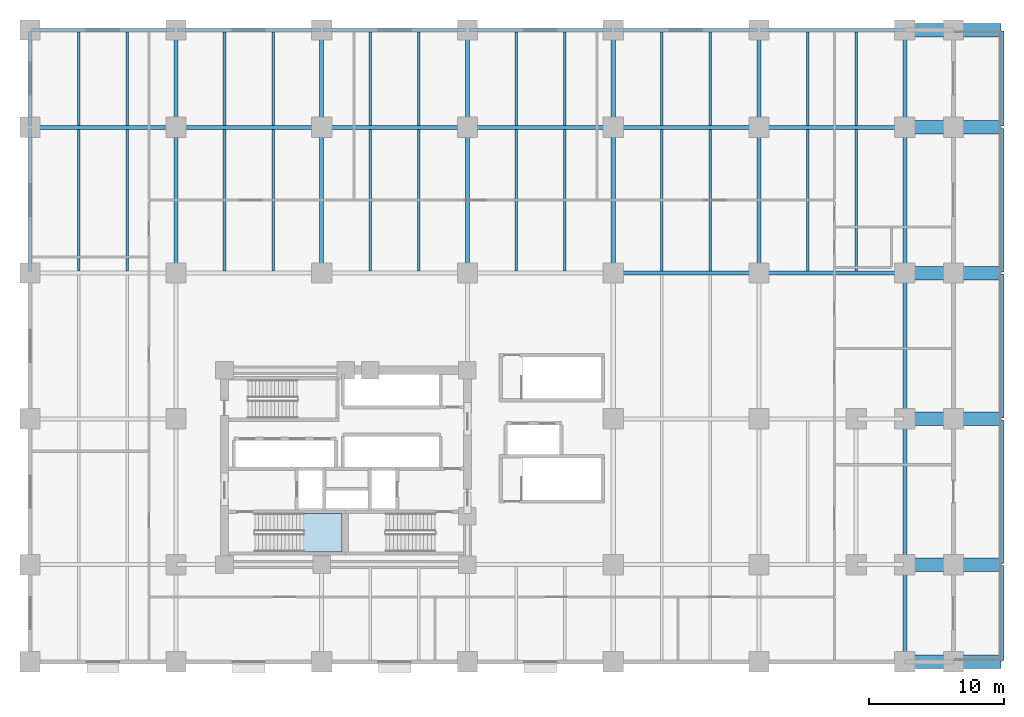
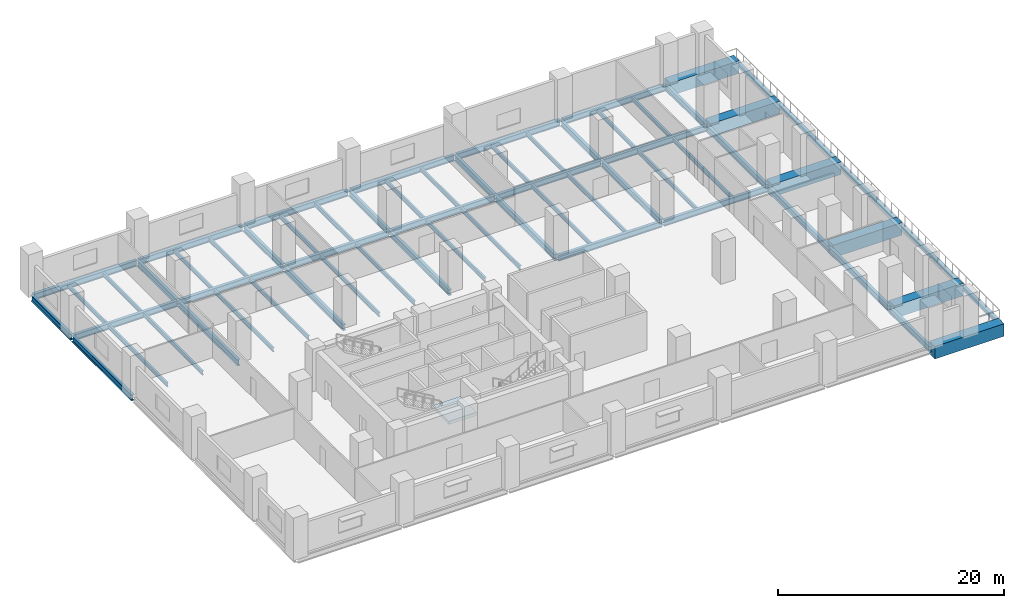
# One storey, part 2 of 8: 66 beams, 1 slab, 1 element without a shape of its own.
"""IFC4 building model written with IfcOpenShell, lengths in metres."""

from ifc_helpers import new_model, si_unit, direction, frame, origin, origin_2d, place, context, subcontext, project, spatial, polyline, rectangle, i_section, outline, extrude, material, layer, layer_set, material_profile, profile_set, type_object, element, aggregate, save


model = new_model("IFC4")

# Units and contexts
model_context = context("Model", 3, precision=1e-05, world=origin(), true_north=direction((0.0, 1.0)))
body_context = subcontext(model_context, "Body", "Model", "MODEL_VIEW")
ifc_project = project(units=[si_unit("LENGTHUNIT", "METRE"), si_unit("AREAUNIT", "SQUARE_METRE"), si_unit("VOLUMEUNIT", "CUBIC_METRE"), si_unit("PLANEANGLEUNIT", "RADIAN"), si_unit("MASSUNIT", "GRAM", prefix="KILO")], contexts=[model_context])

# Site, building, storey
site_placement = place(None, origin())
site = spatial("IfcSite", under=ifc_project, at=site_placement, CompositionType="ELEMENT")
building_placement = place(site_placement, origin())
building = spatial("IfcBuilding", under=site, at=building_placement, Name="Solnavia Interchange Tower", CompositionType="ELEMENT")
storey_placement = place(building_placement, frame((0.0, 0.0, 19.39990234375)))
storey = spatial("IfcBuildingStorey", under=building, at=storey_placement, Name="L04", CompositionType="ELEMENT", Elevation=19.39990234375)

# Beams
ifc_material_1 = material(Name="Steel S460", Category="steel")
ifc_material_profile_1 = material_profile(ifc_material_1, i_section(OverallWidth=0.300048828125, OverallDepth=0.449951171875, WebThickness=0.013916015625, FlangeThickness=0.02587890625, FilletRadius=0.027099609375, at=origin_2d()), Name="HEB 450")
ifc_profile_set_1 = profile_set([ifc_material_profile_1], Name="Steel S460")
beam_type_1 = type_object("IfcBeamType", Name="Beam-Girder-HEB450", PredefinedType="BEAM", material=ifc_profile_set_1)
beam_1_placement = place(storey_placement, frame((72.0, 3.679931640625, -0.52490234375), z_axis=(0.0, 1.0, 0.0), x_axis=(-1.0, 0.0, 0.0)))
element("IfcBeam", 1, at=beam_1_placement, inside=storey, type_object=beam_type_1, Name="GRD-L04-RFE07 East terrace edge girder", PredefinedType="BEAM", context=body_context, shape_type="SweptSolid", body=[
    extrude(i_section(OverallWidth=0.300048828125, OverallDepth=0.449951171875, WebThickness=0.013916015625, FlangeThickness=0.02587890625, FilletRadius=0.027099609375, at=origin_2d()), origin(), (0.0, 0.0, 1.0), 7.0400390625),
])
for number, where, z_axis, x_axis, name in (
    (2, (72.0, 10.8798828125, -0.52490234375), (0.0, 1.0, 0.0), (-1.0, 0.0, 0.0), "GRD-L04-RFE08 East terrace edge girder"),
    (3, (72.0, 21.679931640625, -0.52490234375), (0.0, 1.0, 0.0), (-1.0, 0.0, 0.0), "GRD-L04-RFE09 East terrace edge girder"),
    (4, (72.0, 32.47998046875, -0.52490234375), (0.0, 1.0, 0.0), (-1.0, 0.0, 0.0), "GRD-L04-RFE10 East terrace edge girder"),
):
    element("IfcBeam", number, at=place(storey_placement, frame(where, z_axis=z_axis, x_axis=x_axis)), inside=storey, type_object=beam_type_1, Name=name, PredefinedType="BEAM", context=body_context, shape_type="SweptSolid", body=[
        extrude(i_section(OverallWidth=0.300048828125, OverallDepth=0.449951171875, WebThickness=0.013916015625, FlangeThickness=0.02587890625, FilletRadius=0.027099609375, at=origin_2d()), origin(), (0.0, 0.0, 1.0), 10.64013671875),
    ])
beam_2_placement = place(storey_placement, frame((72.0, 43.280029296875, -0.52490234375), z_axis=(0.0, 1.0, 0.0), x_axis=(-1.0, 0.0, 0.0)))
element("IfcBeam", 5, at=beam_2_placement, inside=storey, type_object=beam_type_1, Name="GRD-L04-RFE11 East terrace edge girder", PredefinedType="BEAM", context=body_context, shape_type="SweptSolid", body=[
    extrude(i_section(OverallWidth=0.300048828125, OverallDepth=0.449951171875, WebThickness=0.013916015625, FlangeThickness=0.02587890625, FilletRadius=0.027099609375, at=origin_2d()), origin(), (0.0, 0.0, 1.0), 7.0400390625),
])
ifc_material_profile_2 = material_profile(ifc_material_1, i_section(OverallWidth=0.300048828125, OverallDepth=0.64990234375, WebThickness=0.01611328125, FlangeThickness=0.031005859375, FilletRadius=0.027099609375, at=origin_2d()), Name="HEB 650")
ifc_profile_set_2 = profile_set([ifc_material_profile_2], Name="Steel S460")
beam_type_2 = type_object("IfcBeamType", Name="Beam-Girder-HEB650", PredefinedType="BEAM", material=ifc_profile_set_2)
for number, where, z_axis, x_axis, name in (
    (6, (43.300048828125, 32.39990234375, -0.625), (1.0, 0.0, 0.0), (0.0, 1.0, 0.0), "GRD-L04-24 Podium primary girder"),
    (7, (54.10009765625, 32.39990234375, -0.625), (1.0, 0.0, 0.0), (0.0, 1.0, 0.0), "GRD-L04-25 Podium primary girder"),
    (8, (0.10009765625, 43.199951171875, -0.625), (1.0, 0.0, 0.0), (0.0, 1.0, 0.0), "GRD-L04-26 Podium primary girder"),
):
    element("IfcBeam", number, at=place(storey_placement, frame(where, z_axis=z_axis, x_axis=x_axis)), inside=storey, type_object=beam_type_2, Name=name, PredefinedType="BEAM", context=body_context, shape_type="SweptSolid", body=[
        extrude(i_section(OverallWidth=0.300048828125, OverallDepth=0.64990234375, WebThickness=0.01611328125, FlangeThickness=0.031005859375, FilletRadius=0.027099609375, at=origin_2d()), origin(), (0.0, 0.0, 1.0), 10.599853515625),
    ])
for number, where, z_axis, x_axis, name in (
    (9, (10.89990234375, 43.199951171875, -0.625), (1.0, 0.0, 0.0), (0.0, 1.0, 0.0), "GRD-L04-27 Podium primary girder"),
    (10, (21.699951171875, 43.199951171875, -0.625), (1.0, 0.0, 0.0), (0.0, 1.0, 0.0), "GRD-L04-28 Podium primary girder"),
    (11, (32.5, 43.199951171875, -0.625), (1.0, 0.0, 0.0), (0.0, 1.0, 0.0), "GRD-L04-29 Podium primary girder"),
):
    element("IfcBeam", number, at=place(storey_placement, frame(where, z_axis=z_axis, x_axis=x_axis)), inside=storey, type_object=beam_type_2, Name=name, PredefinedType="BEAM", context=body_context, shape_type="SweptSolid", body=[
        extrude(i_section(OverallWidth=0.300048828125, OverallDepth=0.64990234375, WebThickness=0.01611328125, FlangeThickness=0.031005859375, FilletRadius=0.027099609375, at=origin_2d()), origin(), (0.0, 0.0, 1.0), 10.60009765625),
    ])
for number, where, z_axis, x_axis, name in (
    (12, (43.300048828125, 43.199951171875, -0.625), (1.0, 0.0, 0.0), (0.0, 1.0, 0.0), "GRD-L04-30 Podium primary girder"),
    (13, (54.10009765625, 43.199951171875, -0.625), (1.0, 0.0, 0.0), (0.0, 1.0, 0.0), "GRD-L04-31 Podium primary girder"),
    (14, (0.10009765625, 50.39990234375, -0.625), (1.0, 0.0, 0.0), (0.0, 1.0, 0.0), "GRD-L04-32 Podium primary girder"),
):
    element("IfcBeam", number, at=place(storey_placement, frame(where, z_axis=z_axis, x_axis=x_axis)), inside=storey, type_object=beam_type_2, Name=name, PredefinedType="BEAM", context=body_context, shape_type="SweptSolid", body=[
        extrude(i_section(OverallWidth=0.300048828125, OverallDepth=0.64990234375, WebThickness=0.01611328125, FlangeThickness=0.031005859375, FilletRadius=0.027099609375, at=origin_2d()), origin(), (0.0, 0.0, 1.0), 10.599853515625),
    ])
for number, where, z_axis, x_axis, name in (
    (15, (10.89990234375, 50.39990234375, -0.625), (1.0, 0.0, 0.0), (0.0, 1.0, 0.0), "GRD-L04-33 Podium primary girder"),
    (16, (21.699951171875, 50.39990234375, -0.625), (1.0, 0.0, 0.0), (0.0, 1.0, 0.0), "GRD-L04-34 Podium primary girder"),
    (17, (32.5, 50.39990234375, -0.625), (1.0, 0.0, 0.0), (0.0, 1.0, 0.0), "GRD-L04-35 Podium primary girder"),
):
    element("IfcBeam", number, at=place(storey_placement, frame(where, z_axis=z_axis, x_axis=x_axis)), inside=storey, type_object=beam_type_2, Name=name, PredefinedType="BEAM", context=body_context, shape_type="SweptSolid", body=[
        extrude(i_section(OverallWidth=0.300048828125, OverallDepth=0.64990234375, WebThickness=0.01611328125, FlangeThickness=0.031005859375, FilletRadius=0.027099609375, at=origin_2d()), origin(), (0.0, 0.0, 1.0), 10.60009765625),
    ])
for number, where, z_axis, x_axis, name in (
    (18, (43.300048828125, 50.39990234375, -0.625), (1.0, 0.0, 0.0), (0.0, 1.0, 0.0), "GRD-L04-36 Podium primary girder"),
    (19, (54.10009765625, 50.39990234375, -0.625), (1.0, 0.0, 0.0), (0.0, 1.0, 0.0), "GRD-L04-37 Podium primary girder"),
):
    element("IfcBeam", number, at=place(storey_placement, frame(where, z_axis=z_axis, x_axis=x_axis)), inside=storey, type_object=beam_type_2, Name=name, PredefinedType="BEAM", context=body_context, shape_type="SweptSolid", body=[
        extrude(i_section(OverallWidth=0.300048828125, OverallDepth=0.64990234375, WebThickness=0.01611328125, FlangeThickness=0.031005859375, FilletRadius=0.027099609375, at=origin_2d()), origin(), (0.0, 0.0, 1.0), 10.599853515625),
    ])
beam_3_placement = place(storey_placement, frame((0.0, 32.5, -0.625), z_axis=(0.0, 1.0, 0.0), x_axis=(-1.0, 0.0, 0.0)))
element("IfcBeam", 20, at=beam_3_placement, inside=storey, type_object=beam_type_2, Name="GRD-L04-41 Podium primary girder", PredefinedType="BEAM", context=body_context, shape_type="SweptSolid", body=[
    extrude(i_section(OverallWidth=0.300048828125, OverallDepth=0.64990234375, WebThickness=0.01611328125, FlangeThickness=0.031005859375, FilletRadius=0.027099609375, at=origin_2d()), origin(), (0.0, 0.0, 1.0), 10.60009765625),
])
beam_4_placement = place(storey_placement, frame((0.0, 43.300048828125, -0.625), z_axis=(0.0, 1.0, 0.0), x_axis=(-1.0, 0.0, 0.0)))
element("IfcBeam", 21, at=beam_4_placement, inside=storey, type_object=beam_type_2, Name="GRD-L04-42 Podium primary girder", PredefinedType="BEAM", context=body_context, shape_type="SweptSolid", body=[
    extrude(i_section(OverallWidth=0.300048828125, OverallDepth=0.64990234375, WebThickness=0.01611328125, FlangeThickness=0.031005859375, FilletRadius=0.027099609375, at=origin_2d()), origin(), (0.0, 0.0, 1.0), 7.0),
])
beam_5_placement = place(storey_placement, frame((10.800048828125, 32.5, -0.625), z_axis=(0.0, 1.0, 0.0), x_axis=(-1.0, 0.0, 0.0)))
element("IfcBeam", 22, at=beam_5_placement, inside=storey, type_object=beam_type_2, Name="GRD-L04-46 Podium primary girder", PredefinedType="BEAM", context=body_context, shape_type="SweptSolid", body=[
    extrude(i_section(OverallWidth=0.300048828125, OverallDepth=0.64990234375, WebThickness=0.01611328125, FlangeThickness=0.031005859375, FilletRadius=0.027099609375, at=origin_2d()), origin(), (0.0, 0.0, 1.0), 10.60009765625),
])
beam_6_placement = place(storey_placement, frame((10.800048828125, 43.300048828125, -0.625), z_axis=(0.0, 1.0, 0.0), x_axis=(-1.0, 0.0, 0.0)))
element("IfcBeam", 23, at=beam_6_placement, inside=storey, type_object=beam_type_2, Name="GRD-L04-47 Podium primary girder", PredefinedType="BEAM", context=body_context, shape_type="SweptSolid", body=[
    extrude(i_section(OverallWidth=0.300048828125, OverallDepth=0.64990234375, WebThickness=0.01611328125, FlangeThickness=0.031005859375, FilletRadius=0.027099609375, at=origin_2d()), origin(), (0.0, 0.0, 1.0), 7.0),
])
beam_7_placement = place(storey_placement, frame((21.60009765625, 32.5, -0.625), z_axis=(0.0, 1.0, 0.0), x_axis=(-1.0, 0.0, 0.0)))
element("IfcBeam", 24, at=beam_7_placement, inside=storey, type_object=beam_type_2, Name="GRD-L04-49 Podium primary girder", PredefinedType="BEAM", context=body_context, shape_type="SweptSolid", body=[
    extrude(i_section(OverallWidth=0.300048828125, OverallDepth=0.64990234375, WebThickness=0.01611328125, FlangeThickness=0.031005859375, FilletRadius=0.027099609375, at=origin_2d()), origin(), (0.0, 0.0, 1.0), 10.60009765625),
])
beam_8_placement = place(storey_placement, frame((21.60009765625, 43.300048828125, -0.625), z_axis=(0.0, 1.0, 0.0), x_axis=(-1.0, 0.0, 0.0)))
element("IfcBeam", 25, at=beam_8_placement, inside=storey, type_object=beam_type_2, Name="GRD-L04-50 Podium primary girder", PredefinedType="BEAM", context=body_context, shape_type="SweptSolid", body=[
    extrude(i_section(OverallWidth=0.300048828125, OverallDepth=0.64990234375, WebThickness=0.01611328125, FlangeThickness=0.031005859375, FilletRadius=0.027099609375, at=origin_2d()), origin(), (0.0, 0.0, 1.0), 7.0),
])
beam_9_placement = place(storey_placement, frame((32.39990234375, 32.5, -0.625), z_axis=(0.0, 1.0, 0.0), x_axis=(-1.0, 0.0, 0.0)))
element("IfcBeam", 26, at=beam_9_placement, inside=storey, type_object=beam_type_2, Name="GRD-L04-54 Podium primary girder", PredefinedType="BEAM", context=body_context, shape_type="SweptSolid", body=[
    extrude(i_section(OverallWidth=0.300048828125, OverallDepth=0.64990234375, WebThickness=0.01611328125, FlangeThickness=0.031005859375, FilletRadius=0.027099609375, at=origin_2d()), origin(), (0.0, 0.0, 1.0), 10.60009765625),
])
beam_10_placement = place(storey_placement, frame((32.39990234375, 43.300048828125, -0.625), z_axis=(0.0, 1.0, 0.0), x_axis=(-1.0, 0.0, 0.0)))
element("IfcBeam", 27, at=beam_10_placement, inside=storey, type_object=beam_type_2, Name="GRD-L04-55 Podium primary girder", PredefinedType="BEAM", context=body_context, shape_type="SweptSolid", body=[
    extrude(i_section(OverallWidth=0.300048828125, OverallDepth=0.64990234375, WebThickness=0.01611328125, FlangeThickness=0.031005859375, FilletRadius=0.027099609375, at=origin_2d()), origin(), (0.0, 0.0, 1.0), 7.0),
])
beam_11_placement = place(storey_placement, frame((43.199951171875, 32.5, -0.625), z_axis=(0.0, 1.0, 0.0), x_axis=(-1.0, 0.0, 0.0)))
element("IfcBeam", 28, at=beam_11_placement, inside=storey, type_object=beam_type_2, Name="GRD-L04-59 Podium primary girder", PredefinedType="BEAM", context=body_context, shape_type="SweptSolid", body=[
    extrude(i_section(OverallWidth=0.300048828125, OverallDepth=0.64990234375, WebThickness=0.01611328125, FlangeThickness=0.031005859375, FilletRadius=0.027099609375, at=origin_2d()), origin(), (0.0, 0.0, 1.0), 10.60009765625),
])
beam_12_placement = place(storey_placement, frame((43.199951171875, 43.300048828125, -0.625), z_axis=(0.0, 1.0, 0.0), x_axis=(-1.0, 0.0, 0.0)))
element("IfcBeam", 29, at=beam_12_placement, inside=storey, type_object=beam_type_2, Name="GRD-L04-60 Podium primary girder", PredefinedType="BEAM", context=body_context, shape_type="SweptSolid", body=[
    extrude(i_section(OverallWidth=0.300048828125, OverallDepth=0.64990234375, WebThickness=0.01611328125, FlangeThickness=0.031005859375, FilletRadius=0.027099609375, at=origin_2d()), origin(), (0.0, 0.0, 1.0), 7.0),
])
beam_13_placement = place(storey_placement, frame((54.0, 32.5, -0.625), z_axis=(0.0, 1.0, 0.0), x_axis=(-1.0, 0.0, 0.0)))
element("IfcBeam", 30, at=beam_13_placement, inside=storey, type_object=beam_type_2, Name="GRD-L04-64 Podium primary girder", PredefinedType="BEAM", context=body_context, shape_type="SweptSolid", body=[
    extrude(i_section(OverallWidth=0.300048828125, OverallDepth=0.64990234375, WebThickness=0.01611328125, FlangeThickness=0.031005859375, FilletRadius=0.027099609375, at=origin_2d()), origin(), (0.0, 0.0, 1.0), 10.60009765625),
])
for number, where, z_axis, x_axis, name in (
    (31, (54.0, 43.300048828125, -0.625), (0.0, 1.0, 0.0), (-1.0, 0.0, 0.0), "GRD-L04-65 Podium primary girder"),
    (32, (64.800048828125, 3.699951171875, -0.625), (0.0, 1.0, 0.0), (-1.0, 0.0, 0.0), "GRD-L04-67 Podium primary girder"),
):
    element("IfcBeam", number, at=place(storey_placement, frame(where, z_axis=z_axis, x_axis=x_axis)), inside=storey, type_object=beam_type_2, Name=name, PredefinedType="BEAM", context=body_context, shape_type="SweptSolid", body=[
        extrude(i_section(OverallWidth=0.300048828125, OverallDepth=0.64990234375, WebThickness=0.01611328125, FlangeThickness=0.031005859375, FilletRadius=0.027099609375, at=origin_2d()), origin(), (0.0, 0.0, 1.0), 7.0),
    ])
for number, where, z_axis, x_axis, name in (
    (33, (64.800048828125, 10.89990234375, -0.625), (0.0, 1.0, 0.0), (-1.0, 0.0, 0.0), "GRD-L04-68 Podium primary girder"),
    (34, (64.800048828125, 21.699951171875, -0.625), (0.0, 1.0, 0.0), (-1.0, 0.0, 0.0), "GRD-L04-69 Podium primary girder"),
    (35, (64.800048828125, 32.5, -0.625), (0.0, 1.0, 0.0), (-1.0, 0.0, 0.0), "GRD-L04-70 Podium primary girder"),
):
    element("IfcBeam", number, at=place(storey_placement, frame(where, z_axis=z_axis, x_axis=x_axis)), inside=storey, type_object=beam_type_2, Name=name, PredefinedType="BEAM", context=body_context, shape_type="SweptSolid", body=[
        extrude(i_section(OverallWidth=0.300048828125, OverallDepth=0.64990234375, WebThickness=0.01611328125, FlangeThickness=0.031005859375, FilletRadius=0.027099609375, at=origin_2d()), origin(), (0.0, 0.0, 1.0), 10.60009765625),
    ])
beam_14_placement = place(storey_placement, frame((64.800048828125, 43.300048828125, -0.625), z_axis=(0.0, 1.0, 0.0), x_axis=(-1.0, 0.0, 0.0)))
element("IfcBeam", 36, at=beam_14_placement, inside=storey, type_object=beam_type_2, Name="GRD-L04-71 Podium primary girder", PredefinedType="BEAM", context=body_context, shape_type="SweptSolid", body=[
    extrude(i_section(OverallWidth=0.300048828125, OverallDepth=0.64990234375, WebThickness=0.01611328125, FlangeThickness=0.031005859375, FilletRadius=0.027099609375, at=origin_2d()), origin(), (0.0, 0.0, 1.0), 7.0),
])
ifc_material_2 = material(Name="Steel S355", Category="steel")
ifc_material_profile_3 = material_profile(ifc_material_2, i_section(OverallWidth=0.18994140625, OverallDepth=0.449951171875, WebThickness=0.009521484375, FlangeThickness=0.0146484375, FilletRadius=0.02099609375, at=origin_2d()), Name="IPE 450")
ifc_profile_set_3 = profile_set([ifc_material_profile_3], Name="Steel S355")
beam_type_3 = type_object("IfcBeamType", Name="Beam-Joist-IPE450", PredefinedType="JOIST", material=ifc_profile_set_3)
beam_15_placement = place(storey_placement, frame((3.60009765625, 32.550048828125, -0.52490234375), z_axis=(0.0, 1.0, 0.0), x_axis=(-1.0, 0.0, 0.0)))
element("IfcBeam", 37, at=beam_15_placement, inside=storey, type_object=beam_type_3, Name="JST-L04-04 Podium composite floor joist", PredefinedType="JOIST", context=body_context, shape_type="SweptSolid", body=[
    extrude(i_section(OverallWidth=0.18994140625, OverallDepth=0.449951171875, WebThickness=0.009521484375, FlangeThickness=0.0146484375, FilletRadius=0.02099609375, at=origin_2d()), origin(), (0.0, 0.0, 1.0), 10.5),
])
beam_16_placement = place(storey_placement, frame((3.60009765625, 43.35009765625, -0.52490234375), z_axis=(0.0, 1.0, 0.0), x_axis=(-1.0, 0.0, 0.0)))
element("IfcBeam", 38, at=beam_16_placement, inside=storey, type_object=beam_type_3, Name="JST-L04-05 Podium composite floor joist", PredefinedType="JOIST", context=body_context, shape_type="SweptSolid", body=[
    extrude(i_section(OverallWidth=0.18994140625, OverallDepth=0.449951171875, WebThickness=0.009521484375, FlangeThickness=0.0146484375, FilletRadius=0.02099609375, at=origin_2d()), origin(), (0.0, 0.0, 1.0), 6.89990234375),
])
beam_17_placement = place(storey_placement, frame((7.199951171875, 32.550048828125, -0.52490234375), z_axis=(0.0, 1.0, 0.0), x_axis=(-1.0, 0.0, 0.0)))
element("IfcBeam", 39, at=beam_17_placement, inside=storey, type_object=beam_type_3, Name="JST-L04-09 Podium composite floor joist", PredefinedType="JOIST", context=body_context, shape_type="SweptSolid", body=[
    extrude(i_section(OverallWidth=0.18994140625, OverallDepth=0.449951171875, WebThickness=0.009521484375, FlangeThickness=0.0146484375, FilletRadius=0.02099609375, at=origin_2d()), origin(), (0.0, 0.0, 1.0), 10.5),
])
beam_18_placement = place(storey_placement, frame((7.199951171875, 43.35009765625, -0.52490234375), z_axis=(0.0, 1.0, 0.0), x_axis=(-1.0, 0.0, 0.0)))
element("IfcBeam", 40, at=beam_18_placement, inside=storey, type_object=beam_type_3, Name="JST-L04-10 Podium composite floor joist", PredefinedType="JOIST", context=body_context, shape_type="SweptSolid", body=[
    extrude(i_section(OverallWidth=0.18994140625, OverallDepth=0.449951171875, WebThickness=0.009521484375, FlangeThickness=0.0146484375, FilletRadius=0.02099609375, at=origin_2d()), origin(), (0.0, 0.0, 1.0), 6.89990234375),
])
beam_19_placement = place(storey_placement, frame((14.39990234375, 32.550048828125, -0.52490234375), z_axis=(0.0, 1.0, 0.0), x_axis=(-1.0, 0.0, 0.0)))
element("IfcBeam", 41, at=beam_19_placement, inside=storey, type_object=beam_type_3, Name="JST-L04-11 Podium composite floor joist", PredefinedType="JOIST", context=body_context, shape_type="SweptSolid", body=[
    extrude(i_section(OverallWidth=0.18994140625, OverallDepth=0.449951171875, WebThickness=0.009521484375, FlangeThickness=0.0146484375, FilletRadius=0.02099609375, at=origin_2d()), origin(), (0.0, 0.0, 1.0), 10.5),
])
beam_20_placement = place(storey_placement, frame((14.39990234375, 43.35009765625, -0.52490234375), z_axis=(0.0, 1.0, 0.0), x_axis=(-1.0, 0.0, 0.0)))
element("IfcBeam", 42, at=beam_20_placement, inside=storey, type_object=beam_type_3, Name="JST-L04-12 Podium composite floor joist", PredefinedType="JOIST", context=body_context, shape_type="SweptSolid", body=[
    extrude(i_section(OverallWidth=0.18994140625, OverallDepth=0.449951171875, WebThickness=0.009521484375, FlangeThickness=0.0146484375, FilletRadius=0.02099609375, at=origin_2d()), origin(), (0.0, 0.0, 1.0), 6.89990234375),
])
beam_21_placement = place(storey_placement, frame((18.0, 32.550048828125, -0.52490234375), z_axis=(0.0, 1.0, 0.0), x_axis=(-1.0, 0.0, 0.0)))
element("IfcBeam", 43, at=beam_21_placement, inside=storey, type_object=beam_type_3, Name="JST-L04-13 Podium composite floor joist", PredefinedType="JOIST", context=body_context, shape_type="SweptSolid", body=[
    extrude(i_section(OverallWidth=0.18994140625, OverallDepth=0.449951171875, WebThickness=0.009521484375, FlangeThickness=0.0146484375, FilletRadius=0.02099609375, at=origin_2d()), origin(), (0.0, 0.0, 1.0), 10.5),
])
beam_22_placement = place(storey_placement, frame((18.0, 43.35009765625, -0.52490234375), z_axis=(0.0, 1.0, 0.0), x_axis=(-1.0, 0.0, 0.0)))
element("IfcBeam", 44, at=beam_22_placement, inside=storey, type_object=beam_type_3, Name="JST-L04-14 Podium composite floor joist", PredefinedType="JOIST", context=body_context, shape_type="SweptSolid", body=[
    extrude(i_section(OverallWidth=0.18994140625, OverallDepth=0.449951171875, WebThickness=0.009521484375, FlangeThickness=0.0146484375, FilletRadius=0.02099609375, at=origin_2d()), origin(), (0.0, 0.0, 1.0), 6.89990234375),
])
beam_23_placement = place(storey_placement, frame((25.199951171875, 32.550048828125, -0.52490234375), z_axis=(0.0, 1.0, 0.0), x_axis=(-1.0, 0.0, 0.0)))
element("IfcBeam", 45, at=beam_23_placement, inside=storey, type_object=beam_type_3, Name="JST-L04-16 Podium composite floor joist", PredefinedType="JOIST", context=body_context, shape_type="SweptSolid", body=[
    extrude(i_section(OverallWidth=0.18994140625, OverallDepth=0.449951171875, WebThickness=0.009521484375, FlangeThickness=0.0146484375, FilletRadius=0.02099609375, at=origin_2d()), origin(), (0.0, 0.0, 1.0), 10.5),
])
beam_24_placement = place(storey_placement, frame((25.199951171875, 43.35009765625, -0.52490234375), z_axis=(0.0, 1.0, 0.0), x_axis=(-1.0, 0.0, 0.0)))
element("IfcBeam", 46, at=beam_24_placement, inside=storey, type_object=beam_type_3, Name="JST-L04-17 Podium composite floor joist", PredefinedType="JOIST", context=body_context, shape_type="SweptSolid", body=[
    extrude(i_section(OverallWidth=0.18994140625, OverallDepth=0.449951171875, WebThickness=0.009521484375, FlangeThickness=0.0146484375, FilletRadius=0.02099609375, at=origin_2d()), origin(), (0.0, 0.0, 1.0), 6.89990234375),
])
beam_25_placement = place(storey_placement, frame((28.800048828125, 32.550048828125, -0.52490234375), z_axis=(0.0, 1.0, 0.0), x_axis=(-1.0, 0.0, 0.0)))
element("IfcBeam", 47, at=beam_25_placement, inside=storey, type_object=beam_type_3, Name="JST-L04-19 Podium composite floor joist", PredefinedType="JOIST", context=body_context, shape_type="SweptSolid", body=[
    extrude(i_section(OverallWidth=0.18994140625, OverallDepth=0.449951171875, WebThickness=0.009521484375, FlangeThickness=0.0146484375, FilletRadius=0.02099609375, at=origin_2d()), origin(), (0.0, 0.0, 1.0), 10.5),
])
beam_26_placement = place(storey_placement, frame((28.800048828125, 43.35009765625, -0.52490234375), z_axis=(0.0, 1.0, 0.0), x_axis=(-1.0, 0.0, 0.0)))
element("IfcBeam", 48, at=beam_26_placement, inside=storey, type_object=beam_type_3, Name="JST-L04-20 Podium composite floor joist", PredefinedType="JOIST", context=body_context, shape_type="SweptSolid", body=[
    extrude(i_section(OverallWidth=0.18994140625, OverallDepth=0.449951171875, WebThickness=0.009521484375, FlangeThickness=0.0146484375, FilletRadius=0.02099609375, at=origin_2d()), origin(), (0.0, 0.0, 1.0), 6.89990234375),
])
beam_27_placement = place(storey_placement, frame((36.0, 32.550048828125, -0.52490234375), z_axis=(0.0, 1.0, 0.0), x_axis=(-1.0, 0.0, 0.0)))
element("IfcBeam", 49, at=beam_27_placement, inside=storey, type_object=beam_type_3, Name="JST-L04-22 Podium composite floor joist", PredefinedType="JOIST", context=body_context, shape_type="SweptSolid", body=[
    extrude(i_section(OverallWidth=0.18994140625, OverallDepth=0.449951171875, WebThickness=0.009521484375, FlangeThickness=0.0146484375, FilletRadius=0.02099609375, at=origin_2d()), origin(), (0.0, 0.0, 1.0), 10.5),
])
beam_28_placement = place(storey_placement, frame((36.0, 43.35009765625, -0.52490234375), z_axis=(0.0, 1.0, 0.0), x_axis=(-1.0, 0.0, 0.0)))
element("IfcBeam", 50, at=beam_28_placement, inside=storey, type_object=beam_type_3, Name="JST-L04-23 Podium composite floor joist", PredefinedType="JOIST", context=body_context, shape_type="SweptSolid", body=[
    extrude(i_section(OverallWidth=0.18994140625, OverallDepth=0.449951171875, WebThickness=0.009521484375, FlangeThickness=0.0146484375, FilletRadius=0.02099609375, at=origin_2d()), origin(), (0.0, 0.0, 1.0), 6.89990234375),
])
beam_29_placement = place(storey_placement, frame((39.60009765625, 32.550048828125, -0.52490234375), z_axis=(0.0, 1.0, 0.0), x_axis=(-1.0, 0.0, 0.0)))
element("IfcBeam", 51, at=beam_29_placement, inside=storey, type_object=beam_type_3, Name="JST-L04-25 Podium composite floor joist", PredefinedType="JOIST", context=body_context, shape_type="SweptSolid", body=[
    extrude(i_section(OverallWidth=0.18994140625, OverallDepth=0.449951171875, WebThickness=0.009521484375, FlangeThickness=0.0146484375, FilletRadius=0.02099609375, at=origin_2d()), origin(), (0.0, 0.0, 1.0), 10.5),
])
beam_30_placement = place(storey_placement, frame((39.60009765625, 43.35009765625, -0.52490234375), z_axis=(0.0, 1.0, 0.0), x_axis=(-1.0, 0.0, 0.0)))
element("IfcBeam", 52, at=beam_30_placement, inside=storey, type_object=beam_type_3, Name="JST-L04-26 Podium composite floor joist", PredefinedType="JOIST", context=body_context, shape_type="SweptSolid", body=[
    extrude(i_section(OverallWidth=0.18994140625, OverallDepth=0.449951171875, WebThickness=0.009521484375, FlangeThickness=0.0146484375, FilletRadius=0.02099609375, at=origin_2d()), origin(), (0.0, 0.0, 1.0), 6.89990234375),
])
beam_31_placement = place(storey_placement, frame((46.800048828125, 32.550048828125, -0.52490234375), z_axis=(0.0, 1.0, 0.0), x_axis=(-1.0, 0.0, 0.0)))
element("IfcBeam", 53, at=beam_31_placement, inside=storey, type_object=beam_type_3, Name="JST-L04-30 Podium composite floor joist", PredefinedType="JOIST", context=body_context, shape_type="SweptSolid", body=[
    extrude(i_section(OverallWidth=0.18994140625, OverallDepth=0.449951171875, WebThickness=0.009521484375, FlangeThickness=0.0146484375, FilletRadius=0.02099609375, at=origin_2d()), origin(), (0.0, 0.0, 1.0), 10.5),
])
beam_32_placement = place(storey_placement, frame((46.800048828125, 43.35009765625, -0.52490234375), z_axis=(0.0, 1.0, 0.0), x_axis=(-1.0, 0.0, 0.0)))
element("IfcBeam", 54, at=beam_32_placement, inside=storey, type_object=beam_type_3, Name="JST-L04-31 Podium composite floor joist", PredefinedType="JOIST", context=body_context, shape_type="SweptSolid", body=[
    extrude(i_section(OverallWidth=0.18994140625, OverallDepth=0.449951171875, WebThickness=0.009521484375, FlangeThickness=0.0146484375, FilletRadius=0.02099609375, at=origin_2d()), origin(), (0.0, 0.0, 1.0), 6.89990234375),
])
beam_33_placement = place(storey_placement, frame((50.39990234375, 32.550048828125, -0.52490234375), z_axis=(0.0, 1.0, 0.0), x_axis=(-1.0, 0.0, 0.0)))
element("IfcBeam", 55, at=beam_33_placement, inside=storey, type_object=beam_type_3, Name="JST-L04-35 Podium composite floor joist", PredefinedType="JOIST", context=body_context, shape_type="SweptSolid", body=[
    extrude(i_section(OverallWidth=0.18994140625, OverallDepth=0.449951171875, WebThickness=0.009521484375, FlangeThickness=0.0146484375, FilletRadius=0.02099609375, at=origin_2d()), origin(), (0.0, 0.0, 1.0), 10.5),
])
beam_34_placement = place(storey_placement, frame((50.39990234375, 43.35009765625, -0.52490234375), z_axis=(0.0, 1.0, 0.0), x_axis=(-1.0, 0.0, 0.0)))
element("IfcBeam", 56, at=beam_34_placement, inside=storey, type_object=beam_type_3, Name="JST-L04-36 Podium composite floor joist", PredefinedType="JOIST", context=body_context, shape_type="SweptSolid", body=[
    extrude(i_section(OverallWidth=0.18994140625, OverallDepth=0.449951171875, WebThickness=0.009521484375, FlangeThickness=0.0146484375, FilletRadius=0.02099609375, at=origin_2d()), origin(), (0.0, 0.0, 1.0), 6.89990234375),
])
beam_35_placement = place(storey_placement, frame((57.60009765625, 32.550048828125, -0.52490234375), z_axis=(0.0, 1.0, 0.0), x_axis=(-1.0, 0.0, 0.0)))
element("IfcBeam", 57, at=beam_35_placement, inside=storey, type_object=beam_type_3, Name="JST-L04-38 Podium composite floor joist", PredefinedType="JOIST", context=body_context, shape_type="SweptSolid", body=[
    extrude(i_section(OverallWidth=0.18994140625, OverallDepth=0.449951171875, WebThickness=0.009521484375, FlangeThickness=0.0146484375, FilletRadius=0.02099609375, at=origin_2d()), origin(), (0.0, 0.0, 1.0), 10.5),
])
beam_36_placement = place(storey_placement, frame((57.60009765625, 43.35009765625, -0.52490234375), z_axis=(0.0, 1.0, 0.0), x_axis=(-1.0, 0.0, 0.0)))
element("IfcBeam", 58, at=beam_36_placement, inside=storey, type_object=beam_type_3, Name="JST-L04-39 Podium composite floor joist", PredefinedType="JOIST", context=body_context, shape_type="SweptSolid", body=[
    extrude(i_section(OverallWidth=0.18994140625, OverallDepth=0.449951171875, WebThickness=0.009521484375, FlangeThickness=0.0146484375, FilletRadius=0.02099609375, at=origin_2d()), origin(), (0.0, 0.0, 1.0), 6.89990234375),
])
beam_37_placement = place(storey_placement, frame((61.199951171875, 32.550048828125, -0.52490234375), z_axis=(0.0, 1.0, 0.0), x_axis=(-1.0, 0.0, 0.0)))
element("IfcBeam", 59, at=beam_37_placement, inside=storey, type_object=beam_type_3, Name="JST-L04-40 Podium composite floor joist", PredefinedType="JOIST", context=body_context, shape_type="SweptSolid", body=[
    extrude(i_section(OverallWidth=0.18994140625, OverallDepth=0.449951171875, WebThickness=0.009521484375, FlangeThickness=0.0146484375, FilletRadius=0.02099609375, at=origin_2d()), origin(), (0.0, 0.0, 1.0), 10.5),
])
beam_38_placement = place(storey_placement, frame((61.199951171875, 43.35009765625, -0.52490234375), z_axis=(0.0, 1.0, 0.0), x_axis=(-1.0, 0.0, 0.0)))
element("IfcBeam", 60, at=beam_38_placement, inside=storey, type_object=beam_type_3, Name="JST-L04-41 Podium composite floor joist", PredefinedType="JOIST", context=body_context, shape_type="SweptSolid", body=[
    extrude(i_section(OverallWidth=0.18994140625, OverallDepth=0.449951171875, WebThickness=0.009521484375, FlangeThickness=0.0146484375, FilletRadius=0.02099609375, at=origin_2d()), origin(), (0.0, 0.0, 1.0), 6.89990234375),
])
ifc_material_3 = material(Name="Concrete C60/75", Category="concrete")
ifc_material_profile_4 = material_profile(ifc_material_3, rectangle(XDim=1.0, YDim=1.35009765625, at=origin_2d()), Name="RC 1000x1350")
ifc_profile_set_4 = profile_set([ifc_material_profile_4], Name="Concrete C60/75")
beam_type_4 = type_object("IfcBeamType", Name="Beam-Transfer-RC1000x1350", PredefinedType="BEAM", material=ifc_profile_set_4)
for number, where, z_axis, x_axis, name in (
    (61, (64.8798828125, 3.60009765625, -0.6748046875), (1.0, 0.0, 0.0), (0.0, 1.0, 0.0), "TRB-L04-01 Podium east step-back transfer girder"),
    (62, (64.8798828125, 10.800048828125, -0.6748046875), (1.0, 0.0, 0.0), (0.0, 1.0, 0.0), "TRB-L04-02 Podium east step-back transfer girder"),
    (63, (64.8798828125, 21.60009765625, -0.6748046875), (1.0, 0.0, 0.0), (0.0, 1.0, 0.0), "TRB-L04-03 Podium east step-back transfer girder"),
    (64, (64.8798828125, 32.39990234375, -0.6748046875), (1.0, 0.0, 0.0), (0.0, 1.0, 0.0), "TRB-L04-04 Podium east step-back transfer girder"),
    (65, (64.8798828125, 43.199951171875, -0.6748046875), (1.0, 0.0, 0.0), (0.0, 1.0, 0.0), "TRB-L04-05 Podium east step-back transfer girder"),
    (66, (64.8798828125, 50.39990234375, -0.6748046875), (1.0, 0.0, 0.0), (0.0, 1.0, 0.0), "TRB-L04-06 Podium east step-back transfer girder"),
):
    element("IfcBeam", number, at=place(storey_placement, frame(where, z_axis=z_axis, x_axis=x_axis)), inside=storey, type_object=beam_type_4, Name=name, PredefinedType="BEAM", context=body_context, shape_type="SweptSolid", body=[
        extrude(rectangle(XDim=1.0, YDim=1.35009765625, at=origin_2d()), origin(), (0.0, 0.0, 1.0), 7.0400390625),
    ])

# Stair, slab
ifc_material_4 = material(Name="Concrete C40/50", Category="concrete")
stair_type = type_object("IfcStairType", Name="Stair-Dogleg-RC", PredefinedType="HALF_TURN_STAIR", material=ifc_material_4)
stair_placement = place(storey_placement, origin())
stair = element("IfcStair", 67, at=stair_placement, inside=storey, type_object=stair_type, Name="L04 Core exit stair 1", PredefinedType="HALF_TURN_STAIR")
ifc_layer = layer(ifc_material_4, 0.35009765625)
ifc_layer_set = layer_set([ifc_layer], Name="Concrete C40/50")
slab_type = type_object("IfcSlabType", Name="Slab-StairLanding-350", PredefinedType="LANDING", material=ifc_layer_set)
slab_placement = place(storey_placement, frame((0.0, 0.0, 1.9501953125)))
slab = element("IfcSlab", 68, at=slab_placement, type_object=slab_type, Name="ST-1 landing 1", PredefinedType="LANDING", context=body_context, shape_type="SweptSolid", body=[
    extrude(outline(polyline([(20.26806640625, 11.75), (23.10009765625, 11.75), (23.10009765625, 14.590087890625), (20.26806640625, 14.590087890625), (20.26806640625, 11.75)])), origin(), (0.0, 0.0, 1.0), 0.349853515625),
])
aggregate(stair, [slab])

save(model, "model.ifc")
